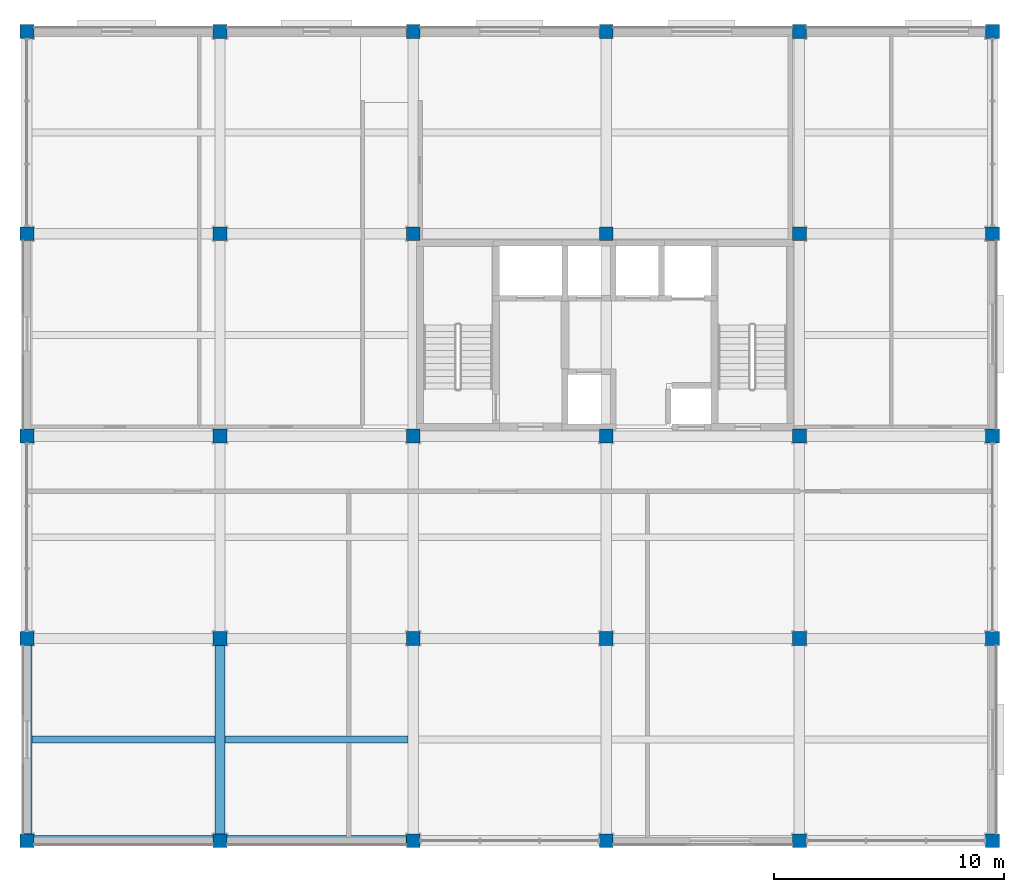
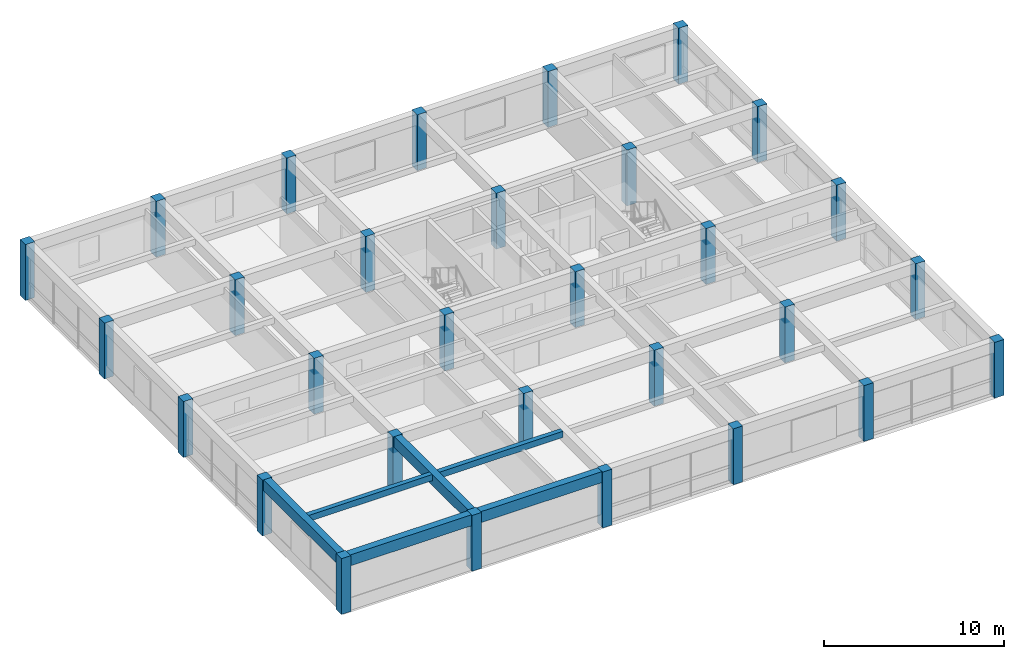
# One storey, part 1 of 14: 30 columns, 6 beams.
"""IFC4 building model written with IfcOpenShell, lengths in metres."""

from ifc_helpers import new_model, si_unit, direction, frame, origin, origin_2d, place, context, subcontext, project, spatial, rectangle, extrude, material, material_profile, profile_set, type_object, element, save


model = new_model("IFC4")

# Units and contexts
model_context = context("Model", 3, precision=1e-05, world=origin(), true_north=direction((0.0, 1.0)))
body_context = subcontext(model_context, "Body", "Model", "MODEL_VIEW")
ifc_project = project(units=[si_unit("LENGTHUNIT", "METRE"), si_unit("AREAUNIT", "SQUARE_METRE"), si_unit("VOLUMEUNIT", "CUBIC_METRE"), si_unit("PLANEANGLEUNIT", "RADIAN"), si_unit("MASSUNIT", "GRAM", prefix="KILO")], contexts=[model_context])

# Site, building, storey
site_placement = place(None, origin())
site = spatial("IfcSite", under=ifc_project, at=site_placement, CompositionType="ELEMENT")
building_placement = place(site_placement, origin())
building = spatial("IfcBuilding", under=site, at=building_placement, Name="Kemercrest Conservatory and Botanical Centre", CompositionType="ELEMENT")
storey_placement = place(building_placement, frame((0.0, 0.0, 44.39990234375)))
storey = spatial("IfcBuildingStorey", under=building, at=storey_placement, Name="L11", CompositionType="ELEMENT", Elevation=44.39990234375)

# Columns
ifc_material = material(Name="Concrete C40/50", Category="concrete")
ifc_material_profile_1 = material_profile(ifc_material, rectangle(XDim=0.60009765625, YDim=0.60009765625, at=origin_2d()), Name="RC 600x600")
ifc_profile_set_1 = profile_set([ifc_material_profile_1], Name="Concrete C40/50")
column_type = type_object("IfcColumnType", Name="C-RC60", PredefinedType="COLUMN", material=ifc_profile_set_1)
for number, where, z_axis, x_axis, name in (
    (1, (134.0, 87.199951171875, 0.0), (0.0, 0.0, 1.0), (1.0, 0.0, 0.0), "Tower column C-RC60 16/K"),
    (2, (134.0, 96.0, 0.0), (0.0, 0.0, 1.0), (1.0, 0.0, 0.0), "Tower column C-RC60 16/L"),
    (3, (134.0, 104.800048828125, 0.0), (0.0, 0.0, 1.0), (1.0, 0.0, 0.0), "Tower column C-RC60 16/M"),
    (4, (134.0, 113.60009765625, 0.0), (0.0, 0.0, 1.0), (1.0, 0.0, 0.0), "Tower column C-RC60 16/N"),
    (5, (134.0, 122.39990234375, 0.0), (0.0, 0.0, 1.0), (1.0, 0.0, 0.0), "Tower column C-RC60 16/P"),
    (6, (142.39990234375, 87.199951171875, 0.0), (0.0, 0.0, 1.0), (1.0, 0.0, 0.0), "Tower column C-RC60 17/K"),
    (7, (142.39990234375, 96.0, 0.0), (0.0, 0.0, 1.0), (1.0, 0.0, 0.0), "Tower column C-RC60 17/L"),
    (8, (142.39990234375, 104.800048828125, 0.0), (0.0, 0.0, 1.0), (1.0, 0.0, 0.0), "Tower column C-RC60 17/M"),
    (9, (142.39990234375, 113.60009765625, 0.0), (0.0, 0.0, 1.0), (1.0, 0.0, 0.0), "Tower column C-RC60 17/N"),
    (10, (142.39990234375, 122.39990234375, 0.0), (0.0, 0.0, 1.0), (1.0, 0.0, 0.0), "Tower column C-RC60 17/P"),
    (11, (150.800048828125, 87.199951171875, 0.0), (0.0, 0.0, 1.0), (1.0, 0.0, 0.0), "Tower column C-RC60 18/K"),
    (12, (150.800048828125, 96.0, 0.0), (0.0, 0.0, 1.0), (1.0, 0.0, 0.0), "Tower column C-RC60 18/L"),
    (13, (150.800048828125, 104.800048828125, 0.0), (0.0, 0.0, 1.0), (1.0, 0.0, 0.0), "Tower column C-RC60 18/M"),
    (14, (150.800048828125, 113.60009765625, 0.0), (0.0, 0.0, 1.0), (1.0, 0.0, 0.0), "Tower column C-RC60 18/N"),
    (15, (150.800048828125, 122.39990234375, 0.0), (0.0, 0.0, 1.0), (1.0, 0.0, 0.0), "Tower column C-RC60 18/P"),
    (16, (159.199951171875, 87.199951171875, 0.0), (0.0, 0.0, 1.0), (1.0, 0.0, 0.0), "Tower column C-RC60 19/K"),
    (17, (159.199951171875, 96.0, 0.0), (0.0, 0.0, 1.0), (1.0, 0.0, 0.0), "Tower column C-RC60 19/L"),
    (18, (159.199951171875, 104.800048828125, 0.0), (0.0, 0.0, 1.0), (1.0, 0.0, 0.0), "Tower column C-RC60 19/M"),
    (19, (159.199951171875, 113.60009765625, 0.0), (0.0, 0.0, 1.0), (1.0, 0.0, 0.0), "Tower column C-RC60 19/N"),
    (20, (159.199951171875, 122.39990234375, 0.0), (0.0, 0.0, 1.0), (1.0, 0.0, 0.0), "Tower column C-RC60 19/P"),
    (21, (167.60009765625, 87.199951171875, 0.0), (0.0, 0.0, 1.0), (1.0, 0.0, 0.0), "Tower column C-RC60 20/K"),
    (22, (167.60009765625, 96.0, 0.0), (0.0, 0.0, 1.0), (1.0, 0.0, 0.0), "Tower column C-RC60 20/L"),
    (23, (167.60009765625, 104.800048828125, 0.0), (0.0, 0.0, 1.0), (1.0, 0.0, 0.0), "Tower column C-RC60 20/M"),
    (24, (167.60009765625, 113.60009765625, 0.0), (0.0, 0.0, 1.0), (1.0, 0.0, 0.0), "Tower column C-RC60 20/N"),
    (25, (167.60009765625, 122.39990234375, 0.0), (0.0, 0.0, 1.0), (1.0, 0.0, 0.0), "Tower column C-RC60 20/P"),
    (26, (176.0, 87.199951171875, 0.0), (0.0, 0.0, 1.0), (1.0, 0.0, 0.0), "Tower column C-RC60 21/K"),
    (27, (176.0, 96.0, 0.0), (0.0, 0.0, 1.0), (1.0, 0.0, 0.0), "Tower column C-RC60 21/L"),
    (28, (176.0, 104.800048828125, 0.0), (0.0, 0.0, 1.0), (1.0, 0.0, 0.0), "Tower column C-RC60 21/M"),
    (29, (176.0, 113.60009765625, 0.0), (0.0, 0.0, 1.0), (1.0, 0.0, 0.0), "Tower column C-RC60 21/N"),
    (30, (176.0, 122.39990234375, 0.0), (0.0, 0.0, 1.0), (1.0, 0.0, 0.0), "Tower column C-RC60 21/P"),
):
    element("IfcColumn", number, at=place(storey_placement, frame(where, z_axis=z_axis, x_axis=x_axis)), inside=storey, type_object=column_type, Name=name, PredefinedType="COLUMN", context=body_context, shape_type="SweptSolid", body=[
        extrude(rectangle(XDim=0.60009765625, YDim=0.60009765625, at=origin_2d()), origin(), (0.0, 0.0, 1.0), 3.800048828125),
    ])

# Beams
ifc_material_profile_2 = material_profile(ifc_material, rectangle(XDim=0.449951171875, YDim=0.75, at=origin_2d()), Name="RC 450x750")
ifc_profile_set_2 = profile_set([ifc_material_profile_2], Name="Concrete C40/50")
beam_type_1 = type_object("IfcBeamType", Name="BM-RC75", PredefinedType="BEAM", material=ifc_profile_set_2)
beam_1_placement = place(storey_placement, frame((142.39990234375, 87.199951171875, 3.425048828125), z_axis=(0.0, 1.0, 0.0), x_axis=(-1.0, 0.0, 0.0)))
element("IfcBeam", 31, at=beam_1_placement, inside=storey, type_object=beam_type_1, Name="V4-L12 beam BM-RC75 17/K-L", PredefinedType="BEAM", context=body_context, shape_type="SweptSolid", body=[
    extrude(rectangle(XDim=0.449951171875, YDim=0.75, at=origin_2d()), origin(), (0.0, 0.0, 1.0), 8.800048828125),
])
ifc_material_profile_3 = material_profile(ifc_material, rectangle(XDim=0.300048828125, YDim=0.419921875, at=origin_2d()), Name="RC 300x420")
ifc_profile_set_3 = profile_set([ifc_material_profile_3], Name="Concrete C40/50")
beam_type_2 = type_object("IfcBeamType", Name="JS-RC42", PredefinedType="JOIST", material=ifc_profile_set_3)
for number, where, z_axis, x_axis, name in (
    (32, (134.22509765625, 91.60009765625, 3.590087890625), (1.0, 0.0, 0.0), (0.0, 1.0, 0.0), "V4-L12 secondary joist JS-RC42"),
    (33, (142.625, 91.60009765625, 3.590087890625), (1.0, 0.0, 0.0), (0.0, 1.0, 0.0), "V4-L12 secondary joist JS-RC42"),
):
    element("IfcBeam", number, at=place(storey_placement, frame(where, z_axis=z_axis, x_axis=x_axis)), inside=storey, type_object=beam_type_2, Name=name, PredefinedType="JOIST", context=body_context, shape_type="SweptSolid", body=[
        extrude(rectangle(XDim=0.300048828125, YDim=0.419921875, at=origin_2d()), origin(), (0.0, 0.0, 1.0), 7.949951171875),
    ])
ifc_material_profile_4 = material_profile(ifc_material, rectangle(XDim=0.449951171875, YDim=0.75, at=origin_2d()), Name="RC 450x750")
ifc_profile_set_4 = profile_set([ifc_material_profile_4], Name="Concrete C40/50")
beam_type_3 = type_object("IfcBeamType", Name="SP-RC75", PredefinedType="SPANDREL", material=ifc_profile_set_4)
beam_2_placement = place(storey_placement, frame((134.0, 87.199951171875, 3.425048828125), z_axis=(1.0, 0.0, 0.0), x_axis=(0.0, 1.0, 0.0)))
element("IfcBeam", 34, at=beam_2_placement, inside=storey, type_object=beam_type_3, Name="V4-L12 beam SP-RC75 K/16-17", PredefinedType="SPANDREL", context=body_context, shape_type="SweptSolid", body=[
    extrude(rectangle(XDim=0.449951171875, YDim=0.75, at=origin_2d()), origin(), (0.0, 0.0, 1.0), 8.39990234375),
])
beam_3_placement = place(storey_placement, frame((142.39990234375, 87.199951171875, 3.425048828125), z_axis=(1.0, 0.0, 0.0), x_axis=(0.0, 1.0, 0.0)))
element("IfcBeam", 35, at=beam_3_placement, inside=storey, type_object=beam_type_3, Name="V4-L12 beam SP-RC75 K/17-18", PredefinedType="SPANDREL", context=body_context, shape_type="SweptSolid", body=[
    extrude(rectangle(XDim=0.449951171875, YDim=0.75, at=origin_2d()), origin(), (0.0, 0.0, 1.0), 8.400146484375),
])
beam_4_placement = place(storey_placement, frame((134.0, 87.199951171875, 3.425048828125), z_axis=(0.0, 1.0, 0.0), x_axis=(-1.0, 0.0, 0.0)))
element("IfcBeam", 36, at=beam_4_placement, inside=storey, type_object=beam_type_3, Name="V4-L12 beam SP-RC75 16/K-L", PredefinedType="SPANDREL", context=body_context, shape_type="SweptSolid", body=[
    extrude(rectangle(XDim=0.449951171875, YDim=0.75, at=origin_2d()), origin(), (0.0, 0.0, 1.0), 8.800048828125),
])

save(model, "model.ifc")
